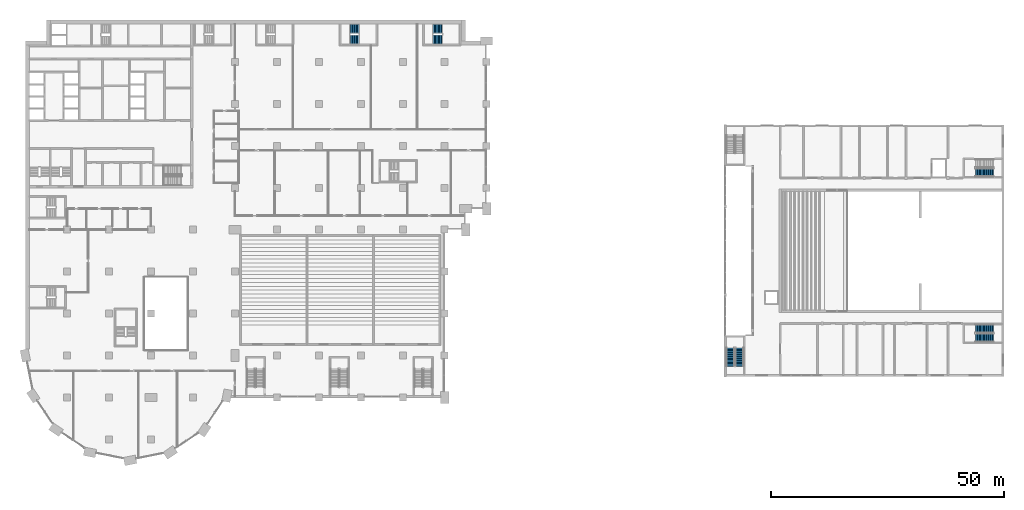
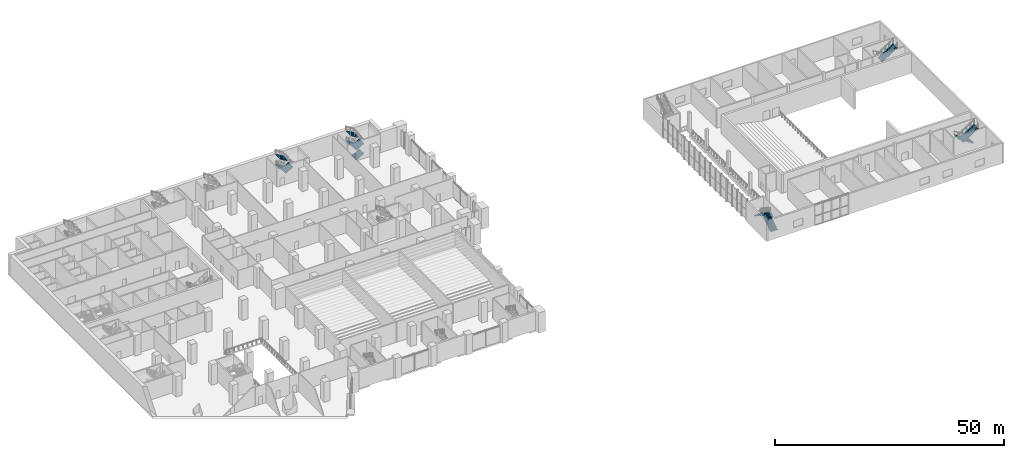
# One storey, part 29 of 44: 12 stair flights, 5 elements without a shape of their own.
"""IFC4 building model written with IfcOpenShell, lengths in metres."""

from ifc_helpers import new_model, si_unit, direction, frame, origin, place, context, subcontext, project, spatial, polyline, outline, extrude, material, type_object, element, aggregate, save


model = new_model("IFC4")

# Units and contexts
model_context = context("Model", 3, precision=1e-05, world=origin(), true_north=direction((0.0, 1.0)))
body_context = subcontext(model_context, "Body", "Model", "MODEL_VIEW")
ifc_project = project(units=[si_unit("LENGTHUNIT", "METRE"), si_unit("AREAUNIT", "SQUARE_METRE"), si_unit("VOLUMEUNIT", "CUBIC_METRE"), si_unit("PLANEANGLEUNIT", "RADIAN"), si_unit("MASSUNIT", "GRAM", prefix="KILO")], contexts=[model_context])

# Site, building, storey
site_placement = place(None, origin())
site = spatial("IfcSite", under=ifc_project, at=site_placement, CompositionType="ELEMENT")
building_placement = place(site_placement, origin())
building = spatial("IfcBuilding", under=site, at=building_placement, Name="Hunhe Ridgeline Campus", CompositionType="ELEMENT")
storey_placement = place(building_placement, frame((0.0, 0.0, 6.0)))
storey = spatial("IfcBuildingStorey", under=building, at=storey_placement, Name="L01", CompositionType="ELEMENT", Elevation=6.0)

# Stair, stair flights
ifc_material = material(Name="Concrete C40", Category="concrete")
stair_type_1 = type_object("IfcStairType", Name="Hall exit stair 1800", PredefinedType="HALF_TURN_STAIR", material=ifc_material)
stair_1_placement = place(storey_placement, origin())
stair_1 = element("IfcStair", 1, at=stair_1_placement, inside=storey, type_object=stair_type_1, Name="L01 hall stair HS1", PredefinedType="HALF_TURN_STAIR")
stair_flight_type_1 = type_object("IfcStairFlightType", Name="Hall stair flight 1800", PredefinedType="STRAIGHT", material=ifc_material)
stair_flight_1_placement = place(storey_placement, frame((153.25, 24.699951171875, 0.0), z_axis=(0.0, 0.0, 1.0), x_axis=(0.0, 1.0, 0.0)))
stair_flight_1 = element("IfcStairFlight", 2, at=stair_flight_1_placement, type_object=stair_flight_type_1, Name="HS1 flight 1", NumberOfRisers=15, NumberOfTreads=14, PredefinedType="STRAIGHT", RiserHeight=0.18, TreadLength=0.28, context=body_context, shape_type="SweptSolid", body=[
    extrude(outline(polyline([(0.0, 0.0), (0.0, 0.179931640625), (0.280029296875, 0.179931640625), (0.280029296875, 0.360107421875), (0.56005859375, 0.360107421875), (0.56005859375, 0.5400390625), (0.840087890625, 0.5400390625), (0.840087890625, 0.719970703125), (1.1201171875, 0.719970703125), (1.1201171875, 0.89990234375), (1.39990234375, 0.89990234375), (1.39990234375, 1.080078125), (1.679931640625, 1.080078125), (1.679931640625, 1.260009765625), (1.9599609375, 1.260009765625), (1.9599609375, 1.43994140625), (2.239990234375, 1.43994140625), (2.239990234375, 1.6201171875), (2.52001953125, 1.6201171875), (2.52001953125, 1.800048828125), (2.800048828125, 1.800048828125), (2.800048828125, 1.97998046875), (3.080078125, 1.97998046875), (3.080078125, 2.159912109375), (3.360107421875, 2.159912109375), (3.360107421875, 2.340087890625), (3.639892578125, 2.340087890625), (3.639892578125, 2.52001953125), (3.919921875, 2.52001953125), (3.919921875, 2.699951171875), (3.919921875, 2.341796875), (0.277099609375, 0.0), (0.0, 0.0)])), frame((0.0, 0.89990234375, 0.0), z_axis=(0.0, -1.0, 0.0), x_axis=(1.0, 0.0, 0.0)), (0.0, 0.0, 1.0), 1.800048828125),
])
stair_flight_2_placement = place(storey_placement, frame((151.300048828125, 28.6201171875, 2.699951171875), z_axis=(0.0, 0.0, 1.0), x_axis=(0.0, -1.0, 0.0)))
stair_flight_2 = element("IfcStairFlight", 3, at=stair_flight_2_placement, type_object=stair_flight_type_1, Name="HS1 flight 2", NumberOfRisers=15, NumberOfTreads=14, PredefinedType="STRAIGHT", RiserHeight=0.18, TreadLength=0.28, context=body_context, shape_type="SweptSolid", body=[
    extrude(outline(polyline([(0.0, 0.0), (0.0, 0.179931640625), (0.280029296875, 0.179931640625), (0.280029296875, 0.360107421875), (0.56005859375, 0.360107421875), (0.56005859375, 0.5400390625), (0.840087890625, 0.5400390625), (0.840087890625, 0.719970703125), (1.1201171875, 0.719970703125), (1.1201171875, 0.89990234375), (1.39990234375, 0.89990234375), (1.39990234375, 1.080078125), (1.679931640625, 1.080078125), (1.679931640625, 1.260009765625), (1.9599609375, 1.260009765625), (1.9599609375, 1.43994140625), (2.239990234375, 1.43994140625), (2.239990234375, 1.6201171875), (2.52001953125, 1.6201171875), (2.52001953125, 1.800048828125), (2.800048828125, 1.800048828125), (2.800048828125, 1.97998046875), (3.080078125, 1.97998046875), (3.080078125, 2.159912109375), (3.360107421875, 2.159912109375), (3.360107421875, 2.340087890625), (3.639892578125, 2.340087890625), (3.639892578125, 2.52001953125), (3.919921875, 2.52001953125), (3.919921875, 2.699951171875), (3.919921875, 2.341796875), (0.277099609375, 0.0), (0.0, 0.0)])), frame((0.0, 0.89990234375, 0.0), z_axis=(0.0, -1.0, 0.0), x_axis=(1.0, 0.0, 0.0)), (0.0, 0.0, 1.0), 1.800048828125),
])
aggregate(stair_1, [stair_flight_1, stair_flight_2])

stair_2_placement = place(storey_placement, origin())
stair_2 = element("IfcStair", 4, at=stair_2_placement, inside=storey, type_object=stair_type_1, Name="L01 hall stair HS3", PredefinedType="HALF_TURN_STAIR")
stair_flight_3_placement = place(storey_placement, frame((207.800048828125, 32.75, 0.0), z_axis=(0.0, 0.0, 1.0), x_axis=(-1.0, 0.0, 0.0)))
stair_flight_3 = element("IfcStairFlight", 5, at=stair_flight_3_placement, type_object=stair_flight_type_1, Name="HS3 flight 1", NumberOfRisers=15, NumberOfTreads=14, PredefinedType="STRAIGHT", RiserHeight=0.18, TreadLength=0.28, context=body_context, shape_type="SweptSolid", body=[
    extrude(outline(polyline([(0.0, 0.0), (0.0, 0.179931640625), (0.280029296875, 0.179931640625), (0.280029296875, 0.360107421875), (0.56005859375, 0.360107421875), (0.56005859375, 0.5400390625), (0.840087890625, 0.5400390625), (0.840087890625, 0.719970703125), (1.1201171875, 0.719970703125), (1.1201171875, 0.89990234375), (1.39990234375, 0.89990234375), (1.39990234375, 1.080078125), (1.679931640625, 1.080078125), (1.679931640625, 1.260009765625), (1.9599609375, 1.260009765625), (1.9599609375, 1.43994140625), (2.239990234375, 1.43994140625), (2.239990234375, 1.6201171875), (2.52001953125, 1.6201171875), (2.52001953125, 1.800048828125), (2.800048828125, 1.800048828125), (2.800048828125, 1.97998046875), (3.080078125, 1.97998046875), (3.080078125, 2.159912109375), (3.360107421875, 2.159912109375), (3.360107421875, 2.340087890625), (3.639892578125, 2.340087890625), (3.639892578125, 2.52001953125), (3.919921875, 2.52001953125), (3.919921875, 2.699951171875), (3.919921875, 2.341796875), (0.277099609375, 0.0), (0.0, 0.0)])), frame((0.0, 0.89990234375, 0.0), z_axis=(0.0, -1.0, 0.0), x_axis=(1.0, 0.0, 0.0)), (0.0, 0.0, 1.0), 1.800048828125),
])
stair_flight_4_placement = place(storey_placement, frame((203.8798828125, 30.800048828125, 2.699951171875), z_axis=(0.0, 0.0, 1.0), x_axis=(1.0, 0.0, 0.0)))
stair_flight_4 = element("IfcStairFlight", 6, at=stair_flight_4_placement, type_object=stair_flight_type_1, Name="HS3 flight 2", NumberOfRisers=15, NumberOfTreads=14, PredefinedType="STRAIGHT", RiserHeight=0.18, TreadLength=0.28, context=body_context, shape_type="SweptSolid", body=[
    extrude(outline(polyline([(0.0, 0.0), (0.0, 0.179931640625), (0.280029296875, 0.179931640625), (0.280029296875, 0.360107421875), (0.56005859375, 0.360107421875), (0.56005859375, 0.5400390625), (0.840087890625, 0.5400390625), (0.840087890625, 0.719970703125), (1.1201171875, 0.719970703125), (1.1201171875, 0.89990234375), (1.39990234375, 0.89990234375), (1.39990234375, 1.080078125), (1.679931640625, 1.080078125), (1.679931640625, 1.260009765625), (1.9599609375, 1.260009765625), (1.9599609375, 1.43994140625), (2.239990234375, 1.43994140625), (2.239990234375, 1.6201171875), (2.52001953125, 1.6201171875), (2.52001953125, 1.800048828125), (2.800048828125, 1.800048828125), (2.800048828125, 1.97998046875), (3.080078125, 1.97998046875), (3.080078125, 2.159912109375), (3.360107421875, 2.159912109375), (3.360107421875, 2.340087890625), (3.639892578125, 2.340087890625), (3.639892578125, 2.52001953125), (3.919921875, 2.52001953125), (3.919921875, 2.699951171875), (3.919921875, 2.341796875), (0.277099609375, 0.0), (0.0, 0.0)])), frame((0.0, 0.89990234375, 0.0), z_axis=(0.0, -1.0, 0.0), x_axis=(1.0, 0.0, 0.0)), (0.0, 0.0, 1.0), 1.800048828125),
])
aggregate(stair_2, [stair_flight_3, stair_flight_4])

# Stair, stair flight
stair_3_placement = place(storey_placement, origin())
stair_3 = element("IfcStair", 7, at=stair_3_placement, inside=storey, type_object=stair_type_1, Name="L01 hall stair HS4", PredefinedType="HALF_TURN_STAIR")
stair_flight_5_placement = place(storey_placement, frame((203.8798828125, 66.25, 2.699951171875), z_axis=(0.0, 0.0, 1.0), x_axis=(1.0, 0.0, 0.0)))
stair_flight_5 = element("IfcStairFlight", 8, at=stair_flight_5_placement, type_object=stair_flight_type_1, Name="HS4 flight 2", NumberOfRisers=15, NumberOfTreads=14, PredefinedType="STRAIGHT", RiserHeight=0.18, TreadLength=0.28, context=body_context, shape_type="SweptSolid", body=[
    extrude(outline(polyline([(0.0, 0.0), (0.0, 0.179931640625), (0.280029296875, 0.179931640625), (0.280029296875, 0.360107421875), (0.56005859375, 0.360107421875), (0.56005859375, 0.5400390625), (0.840087890625, 0.5400390625), (0.840087890625, 0.719970703125), (1.1201171875, 0.719970703125), (1.1201171875, 0.89990234375), (1.39990234375, 0.89990234375), (1.39990234375, 1.080078125), (1.679931640625, 1.080078125), (1.679931640625, 1.260009765625), (1.9599609375, 1.260009765625), (1.9599609375, 1.43994140625), (2.239990234375, 1.43994140625), (2.239990234375, 1.6201171875), (2.52001953125, 1.6201171875), (2.52001953125, 1.800048828125), (2.800048828125, 1.800048828125), (2.800048828125, 1.97998046875), (3.080078125, 1.97998046875), (3.080078125, 2.159912109375), (3.360107421875, 2.159912109375), (3.360107421875, 2.340087890625), (3.639892578125, 2.340087890625), (3.639892578125, 2.52001953125), (3.919921875, 2.52001953125), (3.919921875, 2.699951171875), (3.919921875, 2.341796875), (0.277099609375, 0.0), (0.0, 0.0)])), frame((0.0, 0.89990234375, 0.0), z_axis=(0.0, -1.0, 0.0), x_axis=(1.0, 0.0, 0.0)), (0.0, 0.0, 1.0), 1.800048828125),
])
aggregate(stair_3, [stair_flight_5])

# Stair, stair flights
stair_type_2 = type_object("IfcStairType", Name="Reinforced concrete dog-leg stair 1950 Concrete C40", PredefinedType="HALF_TURN_STAIR", material=ifc_material)
stair_4_placement = place(storey_placement, origin())
stair_4 = element("IfcStair", 9, at=stair_4_placement, inside=storey, type_object=stair_type_2, Name="L01 E3", PredefinedType="HALF_TURN_STAIR")
stair_flight_type_2 = type_object("IfcStairFlightType", Name="Reinforced concrete stair flight 1950 Concrete C40", PredefinedType="STRAIGHT", material=ifc_material)
stair_flight_6_placement = place(storey_placement, frame((71.610107421875, 97.125, 1.35009765625), z_axis=(0.0, 0.0, 1.0), x_axis=(-1.0, 0.0, 0.0)))
stair_flight_6 = element("IfcStairFlight", 10, at=stair_flight_6_placement, type_object=stair_flight_type_2, Name="ST7 flight 2", NumberOfRisers=8, NumberOfTreads=7, PredefinedType="STRAIGHT", RiserHeight=0.16875, TreadLength=0.28, context=body_context, shape_type="SweptSolid", body=[
    extrude(outline(polyline([(0.0, 0.0), (0.0, 0.168701171875), (0.280029296875, 0.168701171875), (0.280029296875, 0.33740234375), (0.56005859375, 0.33740234375), (0.56005859375, 0.50634765625), (0.840087890625, 0.50634765625), (0.840087890625, 0.675048828125), (1.1201171875, 0.675048828125), (1.1201171875, 0.84375), (1.39990234375, 0.84375), (1.39990234375, 1.012451171875), (1.679931640625, 1.012451171875), (1.679931640625, 1.18115234375), (1.9599609375, 1.18115234375), (1.9599609375, 1.35009765625), (1.9599609375, 1.00634765625), (0.29052734375, 0.0), (0.0, 0.0)])), frame((0.0, 0.97509765625, 0.0), z_axis=(0.0, -1.0, 0.0), x_axis=(1.0, 0.0, 0.0)), (0.0, 0.0, 1.0), 1.949951171875),
    extrude(outline(polyline([(0.030029296875, 0.030029296875), (0.030029296875, 0.138916015625), (0.31005859375, 0.138916015625), (0.31005859375, 0.3076171875), (0.590087890625, 0.3076171875), (0.590087890625, 0.476318359375), (0.8701171875, 0.476318359375), (0.8701171875, 0.64501953125), (1.14990234375, 0.64501953125), (1.14990234375, 0.813720703125), (1.429931640625, 0.813720703125), (1.429931640625, 0.982421875), (1.7099609375, 0.982421875), (1.7099609375, 1.1513671875), (1.929931640625, 1.1513671875), (1.929931640625, 1.023193359375), (0.281982421875, 0.030029296875), (0.030029296875, 0.030029296875)])), frame((0.0, -0.070068359375, 0.0), z_axis=(0.0, -1.0, 0.0), x_axis=(1.0, 0.0, 0.0)), (0.0, 0.0, 1.0), 0.019775390625),
    extrude(outline(polyline([(0.030029296875, 0.030029296875), (0.030029296875, 0.138916015625), (0.31005859375, 0.138916015625), (0.31005859375, 0.3076171875), (0.590087890625, 0.3076171875), (0.590087890625, 0.476318359375), (0.8701171875, 0.476318359375), (0.8701171875, 0.64501953125), (1.14990234375, 0.64501953125), (1.14990234375, 0.813720703125), (1.429931640625, 0.813720703125), (1.429931640625, 0.982421875), (1.7099609375, 0.982421875), (1.7099609375, 1.1513671875), (1.929931640625, 1.1513671875), (1.929931640625, 1.023193359375), (0.281982421875, 0.030029296875), (0.030029296875, 0.030029296875)])), frame((0.0, 0.010009765625, 0.0), z_axis=(0.0, -1.0, 0.0), x_axis=(1.0, 0.0, 0.0)), (0.0, 0.0, 1.0), 0.019775390625),
    extrude(outline(polyline([(0.030029296875, 0.030029296875), (0.030029296875, 0.138916015625), (0.31005859375, 0.138916015625), (0.31005859375, 0.3076171875), (0.590087890625, 0.3076171875), (0.590087890625, 0.476318359375), (0.8701171875, 0.476318359375), (0.8701171875, 0.64501953125), (1.14990234375, 0.64501953125), (1.14990234375, 0.813720703125), (1.429931640625, 0.813720703125), (1.429931640625, 0.982421875), (1.7099609375, 0.982421875), (1.7099609375, 1.1513671875), (1.929931640625, 1.1513671875), (1.929931640625, 1.023193359375), (0.281982421875, 0.030029296875), (0.030029296875, 0.030029296875)])), frame((0.0, 0.090087890625, 0.0), z_axis=(0.0, -1.0, 0.0), x_axis=(1.0, 0.0, 0.0)), (0.0, 0.0, 1.0), 0.019775390625),
])
stair_flight_7_placement = place(storey_placement, frame((69.64990234375, 94.77490234375, 2.699951171875), z_axis=(0.0, 0.0, 1.0), x_axis=(1.0, 0.0, 0.0)))
stair_flight_7 = element("IfcStairFlight", 11, at=stair_flight_7_placement, type_object=stair_flight_type_2, Name="ST7 flight 3", NumberOfRisers=8, NumberOfTreads=7, PredefinedType="STRAIGHT", RiserHeight=0.16875, TreadLength=0.28, context=body_context, shape_type="SweptSolid", body=[
    extrude(outline(polyline([(0.0, 0.0), (0.0, 0.168701171875), (0.280029296875, 0.168701171875), (0.280029296875, 0.33740234375), (0.56005859375, 0.33740234375), (0.56005859375, 0.50634765625), (0.840087890625, 0.50634765625), (0.840087890625, 0.675048828125), (1.1201171875, 0.675048828125), (1.1201171875, 0.84375), (1.39990234375, 0.84375), (1.39990234375, 1.012451171875), (1.679931640625, 1.012451171875), (1.679931640625, 1.18115234375), (1.9599609375, 1.18115234375), (1.9599609375, 1.35009765625), (1.9599609375, 1.00634765625), (0.29052734375, 0.0), (0.0, 0.0)])), frame((0.0, 0.97509765625, 0.0), z_axis=(0.0, -1.0, 0.0), x_axis=(1.0, 0.0, 0.0)), (0.0, 0.0, 1.0), 1.949951171875),
    extrude(outline(polyline([(0.030029296875, 0.030029296875), (0.030029296875, 0.138916015625), (0.31005859375, 0.138916015625), (0.31005859375, 0.3076171875), (0.590087890625, 0.3076171875), (0.590087890625, 0.476318359375), (0.8701171875, 0.476318359375), (0.8701171875, 0.64501953125), (1.14990234375, 0.64501953125), (1.14990234375, 0.813720703125), (1.429931640625, 0.813720703125), (1.429931640625, 0.982421875), (1.7099609375, 0.982421875), (1.7099609375, 1.1513671875), (1.929931640625, 1.1513671875), (1.929931640625, 1.023193359375), (0.281982421875, 0.030029296875), (0.030029296875, 0.030029296875)])), frame((0.0, -0.070068359375, 0.0), z_axis=(0.0, -1.0, 0.0), x_axis=(1.0, 0.0, 0.0)), (0.0, 0.0, 1.0), 0.019775390625),
    extrude(outline(polyline([(0.030029296875, 0.030029296875), (0.030029296875, 0.138916015625), (0.31005859375, 0.138916015625), (0.31005859375, 0.3076171875), (0.590087890625, 0.3076171875), (0.590087890625, 0.476318359375), (0.8701171875, 0.476318359375), (0.8701171875, 0.64501953125), (1.14990234375, 0.64501953125), (1.14990234375, 0.813720703125), (1.429931640625, 0.813720703125), (1.429931640625, 0.982421875), (1.7099609375, 0.982421875), (1.7099609375, 1.1513671875), (1.929931640625, 1.1513671875), (1.929931640625, 1.023193359375), (0.281982421875, 0.030029296875), (0.030029296875, 0.030029296875)])), frame((0.0, 0.010009765625, 0.0), z_axis=(0.0, -1.0, 0.0), x_axis=(1.0, 0.0, 0.0)), (0.0, 0.0, 1.0), 0.019775390625),
    extrude(outline(polyline([(0.030029296875, 0.030029296875), (0.030029296875, 0.138916015625), (0.31005859375, 0.138916015625), (0.31005859375, 0.3076171875), (0.590087890625, 0.3076171875), (0.590087890625, 0.476318359375), (0.8701171875, 0.476318359375), (0.8701171875, 0.64501953125), (1.14990234375, 0.64501953125), (1.14990234375, 0.813720703125), (1.429931640625, 0.813720703125), (1.429931640625, 0.982421875), (1.7099609375, 0.982421875), (1.7099609375, 1.1513671875), (1.929931640625, 1.1513671875), (1.929931640625, 1.023193359375), (0.281982421875, 0.030029296875), (0.030029296875, 0.030029296875)])), frame((0.0, 0.090087890625, 0.0), z_axis=(0.0, -1.0, 0.0), x_axis=(1.0, 0.0, 0.0)), (0.0, 0.0, 1.0), 0.019775390625),
])
stair_flight_8_placement = place(storey_placement, frame((71.610107421875, 97.125, 4.050048828125), z_axis=(0.0, 0.0, 1.0), x_axis=(-1.0, 0.0, 0.0)))
stair_flight_8 = element("IfcStairFlight", 12, at=stair_flight_8_placement, type_object=stair_flight_type_2, Name="ST7 flight 4", NumberOfRisers=8, NumberOfTreads=7, PredefinedType="STRAIGHT", RiserHeight=0.16875, TreadLength=0.28, context=body_context, shape_type="SweptSolid", body=[
    extrude(outline(polyline([(0.0, 0.0), (0.0, 0.168701171875), (0.280029296875, 0.168701171875), (0.280029296875, 0.33740234375), (0.56005859375, 0.33740234375), (0.56005859375, 0.50634765625), (0.840087890625, 0.50634765625), (0.840087890625, 0.675048828125), (1.1201171875, 0.675048828125), (1.1201171875, 0.84375), (1.39990234375, 0.84375), (1.39990234375, 1.012451171875), (1.679931640625, 1.012451171875), (1.679931640625, 1.18115234375), (1.9599609375, 1.18115234375), (1.9599609375, 1.35009765625), (1.9599609375, 1.00634765625), (0.29052734375, 0.0), (0.0, 0.0)])), frame((0.0, 0.97509765625, 0.0), z_axis=(0.0, -1.0, 0.0), x_axis=(1.0, 0.0, 0.0)), (0.0, 0.0, 1.0), 1.949951171875),
    extrude(outline(polyline([(0.030029296875, 0.030029296875), (0.030029296875, 0.138916015625), (0.31005859375, 0.138916015625), (0.31005859375, 0.3076171875), (0.590087890625, 0.3076171875), (0.590087890625, 0.476318359375), (0.8701171875, 0.476318359375), (0.8701171875, 0.64501953125), (1.14990234375, 0.64501953125), (1.14990234375, 0.813720703125), (1.429931640625, 0.813720703125), (1.429931640625, 0.982421875), (1.7099609375, 0.982421875), (1.7099609375, 1.1513671875), (1.929931640625, 1.1513671875), (1.929931640625, 1.023193359375), (0.281982421875, 0.030029296875), (0.030029296875, 0.030029296875)])), frame((0.0, -0.070068359375, 0.0), z_axis=(0.0, -1.0, 0.0), x_axis=(1.0, 0.0, 0.0)), (0.0, 0.0, 1.0), 0.019775390625),
    extrude(outline(polyline([(0.030029296875, 0.030029296875), (0.030029296875, 0.138916015625), (0.31005859375, 0.138916015625), (0.31005859375, 0.3076171875), (0.590087890625, 0.3076171875), (0.590087890625, 0.476318359375), (0.8701171875, 0.476318359375), (0.8701171875, 0.64501953125), (1.14990234375, 0.64501953125), (1.14990234375, 0.813720703125), (1.429931640625, 0.813720703125), (1.429931640625, 0.982421875), (1.7099609375, 0.982421875), (1.7099609375, 1.1513671875), (1.929931640625, 1.1513671875), (1.929931640625, 1.023193359375), (0.281982421875, 0.030029296875), (0.030029296875, 0.030029296875)])), frame((0.0, 0.010009765625, 0.0), z_axis=(0.0, -1.0, 0.0), x_axis=(1.0, 0.0, 0.0)), (0.0, 0.0, 1.0), 0.019775390625),
    extrude(outline(polyline([(0.030029296875, 0.030029296875), (0.030029296875, 0.138916015625), (0.31005859375, 0.138916015625), (0.31005859375, 0.3076171875), (0.590087890625, 0.3076171875), (0.590087890625, 0.476318359375), (0.8701171875, 0.476318359375), (0.8701171875, 0.64501953125), (1.14990234375, 0.64501953125), (1.14990234375, 0.813720703125), (1.429931640625, 0.813720703125), (1.429931640625, 0.982421875), (1.7099609375, 0.982421875), (1.7099609375, 1.1513671875), (1.929931640625, 1.1513671875), (1.929931640625, 1.023193359375), (0.281982421875, 0.030029296875), (0.030029296875, 0.030029296875)])), frame((0.0, 0.090087890625, 0.0), z_axis=(0.0, -1.0, 0.0), x_axis=(1.0, 0.0, 0.0)), (0.0, 0.0, 1.0), 0.019775390625),
])
aggregate(stair_4, [stair_flight_6, stair_flight_7, stair_flight_8])

stair_5_placement = place(storey_placement, origin())
stair_5 = element("IfcStair", 13, at=stair_5_placement, inside=storey, type_object=stair_type_2, Name="L01 E4", PredefinedType="HALF_TURN_STAIR")
stair_flight_9_placement = place(storey_placement, frame((87.5, 94.77490234375, 0.0), z_axis=(0.0, 0.0, 1.0), x_axis=(1.0, 0.0, 0.0)))
stair_flight_9 = element("IfcStairFlight", 14, at=stair_flight_9_placement, type_object=stair_flight_type_2, Name="ST8 flight 1", NumberOfRisers=8, NumberOfTreads=7, PredefinedType="STRAIGHT", RiserHeight=0.16875, TreadLength=0.28, context=body_context, shape_type="SweptSolid", body=[
    extrude(outline(polyline([(0.0, 0.0), (0.0, 0.168701171875), (0.280029296875, 0.168701171875), (0.280029296875, 0.33740234375), (0.56005859375, 0.33740234375), (0.56005859375, 0.50634765625), (0.840087890625, 0.50634765625), (0.840087890625, 0.675048828125), (1.1201171875, 0.675048828125), (1.1201171875, 0.84375), (1.39990234375, 0.84375), (1.39990234375, 1.012451171875), (1.679931640625, 1.012451171875), (1.679931640625, 1.18115234375), (1.9599609375, 1.18115234375), (1.9599609375, 1.35009765625), (1.9599609375, 1.00634765625), (0.29052734375, 0.0), (0.0, 0.0)])), frame((0.0, 0.97509765625, 0.0), z_axis=(0.0, -1.0, 0.0), x_axis=(1.0, 0.0, 0.0)), (0.0, 0.0, 1.0), 1.949951171875),
    extrude(outline(polyline([(0.030029296875, 0.030029296875), (0.030029296875, 0.138916015625), (0.31005859375, 0.138916015625), (0.31005859375, 0.3076171875), (0.590087890625, 0.3076171875), (0.590087890625, 0.476318359375), (0.8701171875, 0.476318359375), (0.8701171875, 0.64501953125), (1.14990234375, 0.64501953125), (1.14990234375, 0.813720703125), (1.429931640625, 0.813720703125), (1.429931640625, 0.982421875), (1.7099609375, 0.982421875), (1.7099609375, 1.1513671875), (1.929931640625, 1.1513671875), (1.929931640625, 1.023193359375), (0.281982421875, 0.030029296875), (0.030029296875, 0.030029296875)])), frame((0.0, -0.070068359375, 0.0), z_axis=(0.0, -1.0, 0.0), x_axis=(1.0, 0.0, 0.0)), (0.0, 0.0, 1.0), 0.019775390625),
    extrude(outline(polyline([(0.030029296875, 0.030029296875), (0.030029296875, 0.138916015625), (0.31005859375, 0.138916015625), (0.31005859375, 0.3076171875), (0.590087890625, 0.3076171875), (0.590087890625, 0.476318359375), (0.8701171875, 0.476318359375), (0.8701171875, 0.64501953125), (1.14990234375, 0.64501953125), (1.14990234375, 0.813720703125), (1.429931640625, 0.813720703125), (1.429931640625, 0.982421875), (1.7099609375, 0.982421875), (1.7099609375, 1.1513671875), (1.929931640625, 1.1513671875), (1.929931640625, 1.023193359375), (0.281982421875, 0.030029296875), (0.030029296875, 0.030029296875)])), frame((0.0, 0.010009765625, 0.0), z_axis=(0.0, -1.0, 0.0), x_axis=(1.0, 0.0, 0.0)), (0.0, 0.0, 1.0), 0.019775390625),
    extrude(outline(polyline([(0.030029296875, 0.030029296875), (0.030029296875, 0.138916015625), (0.31005859375, 0.138916015625), (0.31005859375, 0.3076171875), (0.590087890625, 0.3076171875), (0.590087890625, 0.476318359375), (0.8701171875, 0.476318359375), (0.8701171875, 0.64501953125), (1.14990234375, 0.64501953125), (1.14990234375, 0.813720703125), (1.429931640625, 0.813720703125), (1.429931640625, 0.982421875), (1.7099609375, 0.982421875), (1.7099609375, 1.1513671875), (1.929931640625, 1.1513671875), (1.929931640625, 1.023193359375), (0.281982421875, 0.030029296875), (0.030029296875, 0.030029296875)])), frame((0.0, 0.090087890625, 0.0), z_axis=(0.0, -1.0, 0.0), x_axis=(1.0, 0.0, 0.0)), (0.0, 0.0, 1.0), 0.019775390625),
])
stair_flight_10_placement = place(storey_placement, frame((89.4599609375, 97.125, 1.35009765625), z_axis=(0.0, 0.0, 1.0), x_axis=(-1.0, 0.0, 0.0)))
stair_flight_10 = element("IfcStairFlight", 15, at=stair_flight_10_placement, type_object=stair_flight_type_2, Name="ST8 flight 2", NumberOfRisers=8, NumberOfTreads=7, PredefinedType="STRAIGHT", RiserHeight=0.16875, TreadLength=0.28, context=body_context, shape_type="SweptSolid", body=[
    extrude(outline(polyline([(0.0, 0.0), (0.0, 0.168701171875), (0.280029296875, 0.168701171875), (0.280029296875, 0.33740234375), (0.56005859375, 0.33740234375), (0.56005859375, 0.50634765625), (0.840087890625, 0.50634765625), (0.840087890625, 0.675048828125), (1.1201171875, 0.675048828125), (1.1201171875, 0.84375), (1.39990234375, 0.84375), (1.39990234375, 1.012451171875), (1.679931640625, 1.012451171875), (1.679931640625, 1.18115234375), (1.9599609375, 1.18115234375), (1.9599609375, 1.35009765625), (1.9599609375, 1.00634765625), (0.29052734375, 0.0), (0.0, 0.0)])), frame((0.0, 0.97509765625, 0.0), z_axis=(0.0, -1.0, 0.0), x_axis=(1.0, 0.0, 0.0)), (0.0, 0.0, 1.0), 1.949951171875),
    extrude(outline(polyline([(0.030029296875, 0.030029296875), (0.030029296875, 0.138916015625), (0.31005859375, 0.138916015625), (0.31005859375, 0.3076171875), (0.590087890625, 0.3076171875), (0.590087890625, 0.476318359375), (0.8701171875, 0.476318359375), (0.8701171875, 0.64501953125), (1.14990234375, 0.64501953125), (1.14990234375, 0.813720703125), (1.429931640625, 0.813720703125), (1.429931640625, 0.982421875), (1.7099609375, 0.982421875), (1.7099609375, 1.1513671875), (1.929931640625, 1.1513671875), (1.929931640625, 1.023193359375), (0.281982421875, 0.030029296875), (0.030029296875, 0.030029296875)])), frame((0.0, -0.070068359375, 0.0), z_axis=(0.0, -1.0, 0.0), x_axis=(1.0, 0.0, 0.0)), (0.0, 0.0, 1.0), 0.019775390625),
    extrude(outline(polyline([(0.030029296875, 0.030029296875), (0.030029296875, 0.138916015625), (0.31005859375, 0.138916015625), (0.31005859375, 0.3076171875), (0.590087890625, 0.3076171875), (0.590087890625, 0.476318359375), (0.8701171875, 0.476318359375), (0.8701171875, 0.64501953125), (1.14990234375, 0.64501953125), (1.14990234375, 0.813720703125), (1.429931640625, 0.813720703125), (1.429931640625, 0.982421875), (1.7099609375, 0.982421875), (1.7099609375, 1.1513671875), (1.929931640625, 1.1513671875), (1.929931640625, 1.023193359375), (0.281982421875, 0.030029296875), (0.030029296875, 0.030029296875)])), frame((0.0, 0.010009765625, 0.0), z_axis=(0.0, -1.0, 0.0), x_axis=(1.0, 0.0, 0.0)), (0.0, 0.0, 1.0), 0.019775390625),
    extrude(outline(polyline([(0.030029296875, 0.030029296875), (0.030029296875, 0.138916015625), (0.31005859375, 0.138916015625), (0.31005859375, 0.3076171875), (0.590087890625, 0.3076171875), (0.590087890625, 0.476318359375), (0.8701171875, 0.476318359375), (0.8701171875, 0.64501953125), (1.14990234375, 0.64501953125), (1.14990234375, 0.813720703125), (1.429931640625, 0.813720703125), (1.429931640625, 0.982421875), (1.7099609375, 0.982421875), (1.7099609375, 1.1513671875), (1.929931640625, 1.1513671875), (1.929931640625, 1.023193359375), (0.281982421875, 0.030029296875), (0.030029296875, 0.030029296875)])), frame((0.0, 0.090087890625, 0.0), z_axis=(0.0, -1.0, 0.0), x_axis=(1.0, 0.0, 0.0)), (0.0, 0.0, 1.0), 0.019775390625),
])
stair_flight_11_placement = place(storey_placement, frame((87.5, 94.77490234375, 2.699951171875), z_axis=(0.0, 0.0, 1.0), x_axis=(1.0, 0.0, 0.0)))
stair_flight_11 = element("IfcStairFlight", 16, at=stair_flight_11_placement, type_object=stair_flight_type_2, Name="ST8 flight 3", NumberOfRisers=8, NumberOfTreads=7, PredefinedType="STRAIGHT", RiserHeight=0.16875, TreadLength=0.28, context=body_context, shape_type="SweptSolid", body=[
    extrude(outline(polyline([(0.0, 0.0), (0.0, 0.168701171875), (0.280029296875, 0.168701171875), (0.280029296875, 0.33740234375), (0.56005859375, 0.33740234375), (0.56005859375, 0.50634765625), (0.840087890625, 0.50634765625), (0.840087890625, 0.675048828125), (1.1201171875, 0.675048828125), (1.1201171875, 0.84375), (1.39990234375, 0.84375), (1.39990234375, 1.012451171875), (1.679931640625, 1.012451171875), (1.679931640625, 1.18115234375), (1.9599609375, 1.18115234375), (1.9599609375, 1.35009765625), (1.9599609375, 1.00634765625), (0.29052734375, 0.0), (0.0, 0.0)])), frame((0.0, 0.97509765625, 0.0), z_axis=(0.0, -1.0, 0.0), x_axis=(1.0, 0.0, 0.0)), (0.0, 0.0, 1.0), 1.949951171875),
    extrude(outline(polyline([(0.030029296875, 0.030029296875), (0.030029296875, 0.138916015625), (0.31005859375, 0.138916015625), (0.31005859375, 0.3076171875), (0.590087890625, 0.3076171875), (0.590087890625, 0.476318359375), (0.8701171875, 0.476318359375), (0.8701171875, 0.64501953125), (1.14990234375, 0.64501953125), (1.14990234375, 0.813720703125), (1.429931640625, 0.813720703125), (1.429931640625, 0.982421875), (1.7099609375, 0.982421875), (1.7099609375, 1.1513671875), (1.929931640625, 1.1513671875), (1.929931640625, 1.023193359375), (0.281982421875, 0.030029296875), (0.030029296875, 0.030029296875)])), frame((0.0, -0.070068359375, 0.0), z_axis=(0.0, -1.0, 0.0), x_axis=(1.0, 0.0, 0.0)), (0.0, 0.0, 1.0), 0.019775390625),
    extrude(outline(polyline([(0.030029296875, 0.030029296875), (0.030029296875, 0.138916015625), (0.31005859375, 0.138916015625), (0.31005859375, 0.3076171875), (0.590087890625, 0.3076171875), (0.590087890625, 0.476318359375), (0.8701171875, 0.476318359375), (0.8701171875, 0.64501953125), (1.14990234375, 0.64501953125), (1.14990234375, 0.813720703125), (1.429931640625, 0.813720703125), (1.429931640625, 0.982421875), (1.7099609375, 0.982421875), (1.7099609375, 1.1513671875), (1.929931640625, 1.1513671875), (1.929931640625, 1.023193359375), (0.281982421875, 0.030029296875), (0.030029296875, 0.030029296875)])), frame((0.0, 0.010009765625, 0.0), z_axis=(0.0, -1.0, 0.0), x_axis=(1.0, 0.0, 0.0)), (0.0, 0.0, 1.0), 0.019775390625),
    extrude(outline(polyline([(0.030029296875, 0.030029296875), (0.030029296875, 0.138916015625), (0.31005859375, 0.138916015625), (0.31005859375, 0.3076171875), (0.590087890625, 0.3076171875), (0.590087890625, 0.476318359375), (0.8701171875, 0.476318359375), (0.8701171875, 0.64501953125), (1.14990234375, 0.64501953125), (1.14990234375, 0.813720703125), (1.429931640625, 0.813720703125), (1.429931640625, 0.982421875), (1.7099609375, 0.982421875), (1.7099609375, 1.1513671875), (1.929931640625, 1.1513671875), (1.929931640625, 1.023193359375), (0.281982421875, 0.030029296875), (0.030029296875, 0.030029296875)])), frame((0.0, 0.090087890625, 0.0), z_axis=(0.0, -1.0, 0.0), x_axis=(1.0, 0.0, 0.0)), (0.0, 0.0, 1.0), 0.019775390625),
])
stair_flight_12_placement = place(storey_placement, frame((89.4599609375, 97.125, 4.050048828125), z_axis=(0.0, 0.0, 1.0), x_axis=(-1.0, 0.0, 0.0)))
stair_flight_12 = element("IfcStairFlight", 17, at=stair_flight_12_placement, type_object=stair_flight_type_2, Name="ST8 flight 4", NumberOfRisers=8, NumberOfTreads=7, PredefinedType="STRAIGHT", RiserHeight=0.16875, TreadLength=0.28, context=body_context, shape_type="SweptSolid", body=[
    extrude(outline(polyline([(0.0, 0.0), (0.0, 0.168701171875), (0.280029296875, 0.168701171875), (0.280029296875, 0.33740234375), (0.56005859375, 0.33740234375), (0.56005859375, 0.50634765625), (0.840087890625, 0.50634765625), (0.840087890625, 0.675048828125), (1.1201171875, 0.675048828125), (1.1201171875, 0.84375), (1.39990234375, 0.84375), (1.39990234375, 1.012451171875), (1.679931640625, 1.012451171875), (1.679931640625, 1.18115234375), (1.9599609375, 1.18115234375), (1.9599609375, 1.35009765625), (1.9599609375, 1.00634765625), (0.29052734375, 0.0), (0.0, 0.0)])), frame((0.0, 0.97509765625, 0.0), z_axis=(0.0, -1.0, 0.0), x_axis=(1.0, 0.0, 0.0)), (0.0, 0.0, 1.0), 1.949951171875),
    extrude(outline(polyline([(0.030029296875, 0.030029296875), (0.030029296875, 0.138916015625), (0.31005859375, 0.138916015625), (0.31005859375, 0.3076171875), (0.590087890625, 0.3076171875), (0.590087890625, 0.476318359375), (0.8701171875, 0.476318359375), (0.8701171875, 0.64501953125), (1.14990234375, 0.64501953125), (1.14990234375, 0.813720703125), (1.429931640625, 0.813720703125), (1.429931640625, 0.982421875), (1.7099609375, 0.982421875), (1.7099609375, 1.1513671875), (1.929931640625, 1.1513671875), (1.929931640625, 1.023193359375), (0.281982421875, 0.030029296875), (0.030029296875, 0.030029296875)])), frame((0.0, -0.070068359375, 0.0), z_axis=(0.0, -1.0, 0.0), x_axis=(1.0, 0.0, 0.0)), (0.0, 0.0, 1.0), 0.019775390625),
    extrude(outline(polyline([(0.030029296875, 0.030029296875), (0.030029296875, 0.138916015625), (0.31005859375, 0.138916015625), (0.31005859375, 0.3076171875), (0.590087890625, 0.3076171875), (0.590087890625, 0.476318359375), (0.8701171875, 0.476318359375), (0.8701171875, 0.64501953125), (1.14990234375, 0.64501953125), (1.14990234375, 0.813720703125), (1.429931640625, 0.813720703125), (1.429931640625, 0.982421875), (1.7099609375, 0.982421875), (1.7099609375, 1.1513671875), (1.929931640625, 1.1513671875), (1.929931640625, 1.023193359375), (0.281982421875, 0.030029296875), (0.030029296875, 0.030029296875)])), frame((0.0, 0.010009765625, 0.0), z_axis=(0.0, -1.0, 0.0), x_axis=(1.0, 0.0, 0.0)), (0.0, 0.0, 1.0), 0.019775390625),
    extrude(outline(polyline([(0.030029296875, 0.030029296875), (0.030029296875, 0.138916015625), (0.31005859375, 0.138916015625), (0.31005859375, 0.3076171875), (0.590087890625, 0.3076171875), (0.590087890625, 0.476318359375), (0.8701171875, 0.476318359375), (0.8701171875, 0.64501953125), (1.14990234375, 0.64501953125), (1.14990234375, 0.813720703125), (1.429931640625, 0.813720703125), (1.429931640625, 0.982421875), (1.7099609375, 0.982421875), (1.7099609375, 1.1513671875), (1.929931640625, 1.1513671875), (1.929931640625, 1.023193359375), (0.281982421875, 0.030029296875), (0.030029296875, 0.030029296875)])), frame((0.0, 0.090087890625, 0.0), z_axis=(0.0, -1.0, 0.0), x_axis=(1.0, 0.0, 0.0)), (0.0, 0.0, 1.0), 0.019775390625),
])
aggregate(stair_5, [stair_flight_9, stair_flight_10, stair_flight_11, stair_flight_12])

save(model, "model.ifc")
